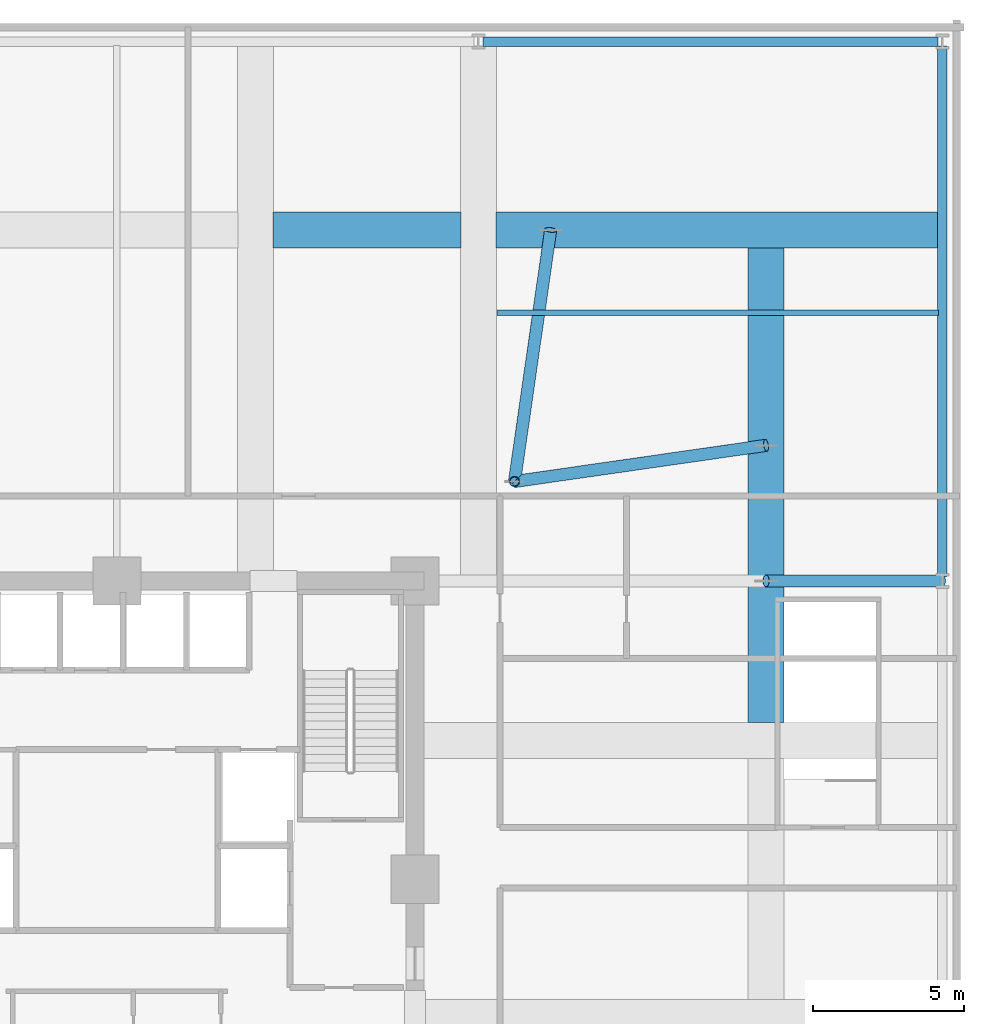
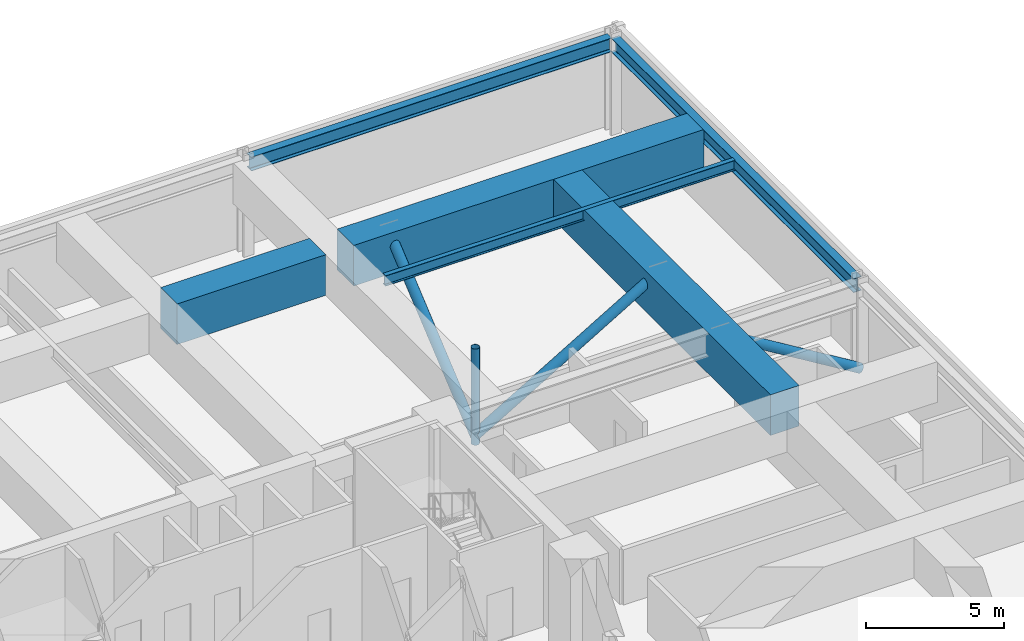
# One storey, part 8 of 16: 6 beams, 4 members.
"""IFC4 building model written with IfcOpenShell, lengths in metres."""

from ifc_helpers import new_model, si_unit, direction, frame, origin, origin_2d, place, context, subcontext, project, spatial, rectangle, hollow_circle, i_section, extrude, material, material_profile, profile_set, type_object, element, save


model = new_model("IFC4")

# Units and contexts
model_context = context("Model", 3, precision=1e-05, world=origin(), true_north=direction((0.0, 1.0)))
body_context = subcontext(model_context, "Body", "Model", "MODEL_VIEW")
ifc_project = project(units=[si_unit("LENGTHUNIT", "METRE"), si_unit("AREAUNIT", "SQUARE_METRE"), si_unit("VOLUMEUNIT", "CUBIC_METRE"), si_unit("PLANEANGLEUNIT", "RADIAN"), si_unit("MASSUNIT", "GRAM", prefix="KILO")], contexts=[model_context])

# Site, building, storey
site_placement = place(None, origin())
site = spatial("IfcSite", under=ifc_project, at=site_placement, CompositionType="ELEMENT")
building_placement = place(site_placement, origin())
building = spatial("IfcBuilding", under=site, at=building_placement, Name="Kolvaren Belvedere", CompositionType="ELEMENT")
storey_placement = place(building_placement, frame((0.0, 0.0, 19.300048828125)))
storey = spatial("IfcBuildingStorey", under=building, at=storey_placement, Name="L05", CompositionType="ELEMENT", Elevation=19.300048828125)

# Beams
ifc_material_1 = material(Name="Structural steel ASTM A992 Grade 50", Category="steel")
ifc_material_profile_1 = material_profile(ifc_material_1, i_section(OverallWidth=0.19091796875, OverallDepth=0.4599609375, WebThickness=0.010009765625, FlangeThickness=0.01611328125, FilletRadius=0.014892578125, at=origin_2d()), Name="W18X55")
ifc_profile_set_1 = profile_set([ifc_material_profile_1], Name="Structural steel ASTM A992 Grade 50")
beam_type_1 = type_object("IfcBeamType", Name="BM-JOIST-W18X55", PredefinedType="BEAM", material=ifc_profile_set_1)
beam_1_placement = place(storey_placement, frame((12.6201171875, 18.800048828125, 4.030029296875), z_axis=(1.0, 0.0, 0.0), x_axis=(0.0, 1.0, 0.0)))
element("IfcBeam", 1, at=beam_1_placement, inside=storey, type_object=beam_type_1, Name="L05 East Bay Floor Beam", PredefinedType="BEAM", context=body_context, shape_type="SweptSolid", body=[
    extrude(i_section(OverallWidth=0.19091796875, OverallDepth=0.4599609375, WebThickness=0.010009765625, FlangeThickness=0.01611328125, FilletRadius=0.014892578125, at=origin_2d()), origin(), (0.0, 0.0, 1.0), 14.659912109375),
])
ifc_material_2 = material(Name="Structural steel ASTM A992 Grade 50", Category="steel")
ifc_material_profile_2 = material_profile(ifc_material_2, i_section(OverallWidth=0.324951171875, OverallDepth=0.615966796875, WebThickness=0.013916015625, FlangeThickness=0.021484375, FilletRadius=0.02001953125, at=origin_2d()), Name="W24X117")
ifc_profile_set_2 = profile_set([ifc_material_profile_2], Name="Structural steel ASTM A992 Grade 50")
beam_type_2 = type_object("IfcBeamType", Name="BM-SPAN-W24X117", PredefinedType="SPANDREL", material=ifc_profile_set_2)
beam_2_placement = place(storey_placement, frame((12.14990234375, 27.800048828125, 3.951904296875), z_axis=(1.0, 0.0, 0.0), x_axis=(0.0, 1.0, 0.0)))
element("IfcBeam", 2, at=beam_2_placement, inside=storey, type_object=beam_type_2, Name="L05 North Podium Spandrel 3", PredefinedType="SPANDREL", context=body_context, shape_type="SweptSolid", body=[
    extrude(i_section(OverallWidth=0.324951171875, OverallDepth=0.615966796875, WebThickness=0.013916015625, FlangeThickness=0.021484375, FilletRadius=0.02001953125, at=origin_2d()), origin(), (0.0, 0.0, 1.0), 15.10009765625),
])
beam_3_placement = place(storey_placement, frame((27.39990234375, 10.050048828125, 3.951904296875), z_axis=(0.0, 1.0, 0.0), x_axis=(-1.0, 0.0, 0.0)))
element("IfcBeam", 3, at=beam_3_placement, inside=storey, type_object=beam_type_2, Name="L05 E Podium Spandrel 3", PredefinedType="SPANDREL", context=body_context, shape_type="SweptSolid", body=[
    extrude(i_section(OverallWidth=0.324951171875, OverallDepth=0.615966796875, WebThickness=0.013916015625, FlangeThickness=0.021484375, FilletRadius=0.02001953125, at=origin_2d()), origin(), (0.0, 0.0, 1.0), 17.599853515625),
])
ifc_material_3 = material(Name="Concrete C50/60", Category="concrete")
ifc_material_profile_3 = material_profile(ifc_material_3, rectangle(XDim=1.199951171875, YDim=1.800048828125, at=origin_2d()), Name="RC 1200X1800")
ifc_profile_set_3 = profile_set([ifc_material_profile_3], Name="Concrete C50/60")
beam_type_3 = type_object("IfcBeamType", Name="BM-TG-1800", PredefinedType="BEAM", material=ifc_profile_set_3)
beam_4_placement = place(storey_placement, frame((5.179931640625, 21.550048828125, 3.35986328125), z_axis=(1.0, 0.0, 0.0), x_axis=(0.0, 1.0, 0.0)))
element("IfcBeam", 4, at=beam_4_placement, inside=storey, type_object=beam_type_3, Name="L05 North Transfer Ring Girder E2", PredefinedType="BEAM", context=body_context, shape_type="SweptSolid", body=[
    extrude(rectangle(XDim=1.199951171875, YDim=1.800048828125, at=origin_2d()), origin(), (0.0, 0.0, 1.0), 6.239990234375),
])
beam_5_placement = place(storey_placement, frame((12.580078125, 21.550048828125, 3.35986328125), z_axis=(1.0, 0.0, 0.0), x_axis=(0.0, 1.0, 0.0)))
element("IfcBeam", 5, at=beam_5_placement, inside=storey, type_object=beam_type_3, Name="L05 North Transfer Ring Girder E1", PredefinedType="BEAM", context=body_context, shape_type="SweptSolid", body=[
    extrude(rectangle(XDim=1.199951171875, YDim=1.800048828125, at=origin_2d()), origin(), (0.0, 0.0, 1.0), 14.669921875),
])
beam_6_placement = place(storey_placement, frame((21.550048828125, 5.199951171875, 3.35986328125), z_axis=(0.0, 1.0, 0.0), x_axis=(-1.0, 0.0, 0.0)))
element("IfcBeam", 6, at=beam_6_placement, inside=storey, type_object=beam_type_3, Name="L05 East Transfer Ring Girder N", PredefinedType="BEAM", context=body_context, shape_type="SweptSolid", body=[
    extrude(rectangle(XDim=1.199951171875, YDim=1.800048828125, at=origin_2d()), origin(), (0.0, 0.0, 1.0), 15.75),
])

# Members
ifc_material_4 = material(Name="Structural steel ASTM A500 Grade C", Category="steel")
ifc_material_profile_4 = material_profile(ifc_material_4, hollow_circle(Radius=0.162109375, WallThickness=0.01171875, at=origin_2d()), Name="HSS12.750X0.500")
ifc_profile_set_4 = profile_set([ifc_material_profile_4], Name="Structural steel ASTM A500 Grade C")
member_type_1 = type_object("IfcMemberType", Name="MB-CAN-POST", PredefinedType="POST", material=ifc_profile_set_4)
member_1_placement = place(storey_placement, frame((13.199951171875, 13.199951171875, 0.0), z_axis=(0.0, 0.0, 1.0), x_axis=(1.0, 0.0, 0.0)))
element("IfcMember", 7, at=member_1_placement, inside=storey, type_object=member_type_1, Name="L05 Transfer Truss Portal Post TP-4", PredefinedType="POST", context=body_context, shape_type="SweptSolid", body=[
    extrude(hollow_circle(Radius=0.162109375, WallThickness=0.01171875, at=origin_2d()), origin(), (0.0, 0.0, 1.0), 4.260009765625),
])
ifc_material_5 = material(Name="Structural steel ASTM A500 Grade C", Category="steel")
ifc_material_profile_5 = material_profile(ifc_material_5, hollow_circle(Radius=0.202880859375, WallThickness=0.01171875, at=origin_2d()), Name="HSS16.000X0.500")
ifc_profile_set_5 = profile_set([ifc_material_profile_5], Name="Structural steel ASTM A500 Grade C")
member_type_2 = type_object("IfcMemberType", Name="MB-TRUSS-DIAG", PredefinedType="BRACE", material=ifc_profile_set_5)
for number, where, z_axis, x_axis, name in (
    (8, (13.199951171875, 13.199951171875, 0.349853515625), (0.911949983885, 0.131051814829, 0.388809270365), (-0.142243803641, 0.989831652518, 0.0), "L05 Storey-Deep Transfer Truss Diagonal TD-4"),
    (9, (13.199951171875, 13.199951171875, 0.349853515625), (0.131051814829, 0.911949983885, 0.388809270365), (-0.989831652518, 0.142243803641, 0.0), "L05 Storey-Deep Transfer Truss Diagonal TD-8"),
):
    element("IfcMember", number, at=place(storey_placement, frame(where, z_axis=z_axis, x_axis=x_axis)), inside=storey, type_object=member_type_2, Name=name, PredefinedType="BRACE", context=body_context, shape_type="SweptSolid", body=[
        extrude(hollow_circle(Radius=0.202880859375, WallThickness=0.01171875, at=origin_2d()), origin(), (0.0, 0.0, 1.0), 9.15625),
    ])
member_2_placement = place(storey_placement, frame((27.39990234375, 9.89990234375, 0.349853515625), z_axis=(-0.854245366247, 0.0, 0.519870035918), x_axis=(0.0, -1.0, 0.0)))
element("IfcMember", 10, at=member_2_placement, inside=storey, type_object=member_type_2, Name="L05 Storey-Deep Transfer Truss Diagonal TD-12", PredefinedType="BRACE", context=body_context, shape_type="SweptSolid", body=[
    extrude(hollow_circle(Radius=0.202880859375, WallThickness=0.01171875, at=origin_2d()), origin(), (0.0, 0.0, 1.0), 6.847900390625),
])

save(model, "model.ifc")
